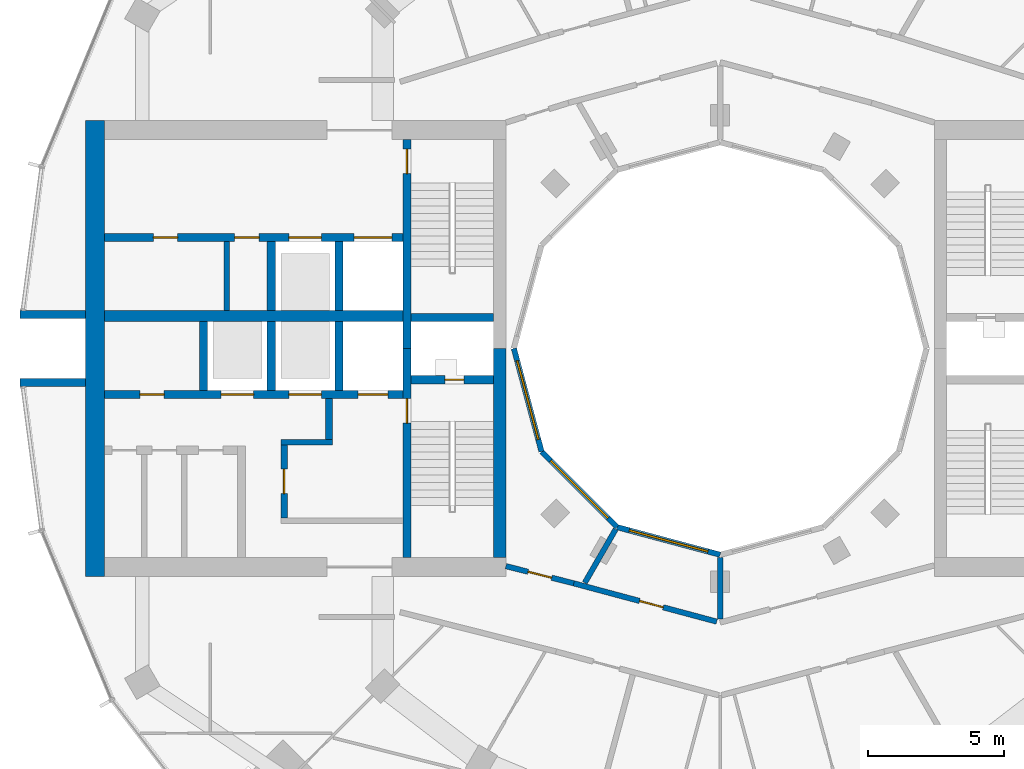
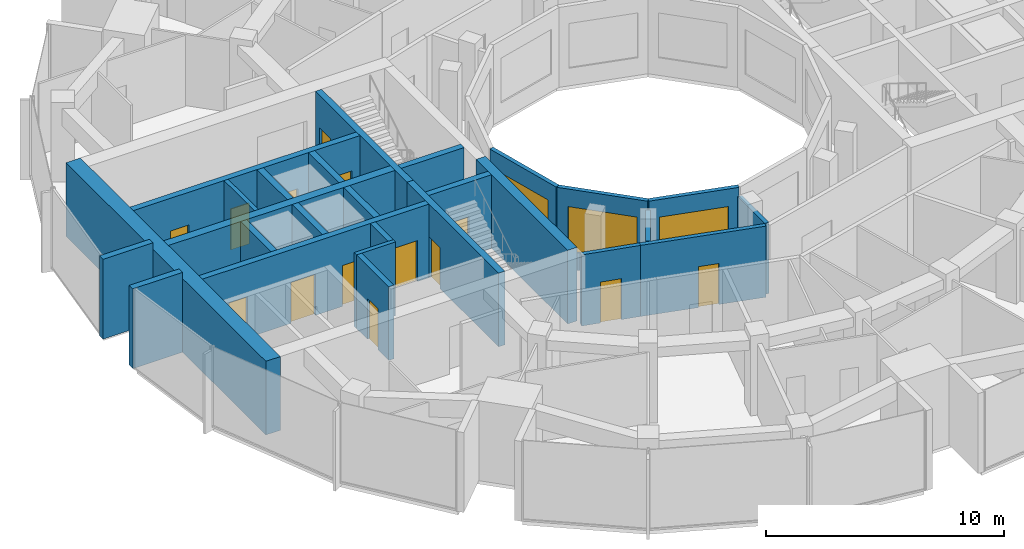
# One storey, part 9 of 15: 27 walls, 14 doors, 3 windows, 17 openings.
"""IFC4 building model written with IfcOpenShell, lengths in metres."""

from ifc_helpers import new_model, si_unit, direction, frame, frame_2d, origin, place, context, subcontext, project, spatial, rectangle, extrude, material, layer, layer_set, type_object, element, fill, save


model = new_model("IFC4")

# Units and contexts
model_context = context("Model", 3, precision=1e-05, world=origin(), true_north=direction((0.0, 1.0)))
body_context = subcontext(model_context, "Body", "Model", "MODEL_VIEW")
ifc_project = project(units=[si_unit("LENGTHUNIT", "METRE"), si_unit("AREAUNIT", "SQUARE_METRE"), si_unit("VOLUMEUNIT", "CUBIC_METRE"), si_unit("PLANEANGLEUNIT", "RADIAN"), si_unit("MASSUNIT", "GRAM", prefix="KILO")], contexts=[model_context])

# Site, building, storey
site_placement = place(None, origin())
site = spatial("IfcSite", under=ifc_project, at=site_placement, CompositionType="ELEMENT")
building_placement = place(site_placement, origin())
building = spatial("IfcBuilding", under=site, at=building_placement, Name="Torre Brocal", CompositionType="ELEMENT")
storey_placement = place(building_placement, frame((0.0, 0.0, 194.60009765625)))
storey = spatial("IfcBuildingStorey", under=building, at=storey_placement, Name="L45", CompositionType="ELEMENT", Elevation=194.60009765625)

# Walls
ifc_material_1 = material(Name="Masonry block", Category="masonry")
ifc_layer_1 = layer(ifc_material_1, 0.199951171875)
ifc_layer_set_1 = layer_set([ifc_layer_1], Name="Masonry block")
wall_type_1 = type_object("IfcWallType", Name="CORE PARTITION 200", PredefinedType="PARTITIONING", material=ifc_layer_set_1)
wall_1_placement = place(storey_placement, frame((61.800048828125, 78.949951171875, 0.0), z_axis=(0.0, 0.0, 1.0), x_axis=(0.0, -1.0, 0.0)))
element("IfcWall", 1, at=wall_1_placement, inside=storey, type_object=wall_type_1, Name="Wall CP200", PredefinedType="PARTITIONING", context=body_context, shape_type="SweptSolid", body=[
    extrude(rectangle(XDim=2.550048828125, YDim=0.199951171875, at=frame_2d((1.27490234375, 0.0))), origin(), (0.0, 0.0, 1.0), 3.77978515625),
])
ifc_material_2 = material(Name="Concrete C70", Category="concrete")
ifc_layer_2 = layer(ifc_material_2, 0.199951171875)
ifc_layer_set_2 = layer_set([ifc_layer_2], Name="Concrete C70")
wall_type_2 = type_object("IfcWallType", Name="CORE WALL 200 C70", PredefinedType="SHEAR", material=ifc_layer_set_2)
wall_2_placement = place(storey_placement, frame((65.699951171875, 71.550048828125, 0.0), z_axis=(0.0, 0.0, 1.0), x_axis=(-1.0, 0.0, 0.0)))
element("IfcWall", 2, at=wall_2_placement, inside=storey, type_object=wall_type_2, Name="Wall CW200-70", PredefinedType="SHEAR", context=body_context, shape_type="SweptSolid", body=[
    extrude(rectangle(XDim=1.89990234375, YDim=0.199951171875, at=frame_2d((0.949951171875, 0.0))), origin(), (0.0, 0.0, 1.0), 3.77978515625),
])

# Wall, opening, door
ifc_material_3 = material(Name="Concrete C70", Category="concrete")
ifc_layer_3 = layer(ifc_material_3, 0.25)
ifc_layer_set_3 = layer_set([ifc_layer_3], Name="Concrete C70")
wall_type_3 = type_object("IfcWallType", Name="CORE WALL 250 C70", PredefinedType="SHEAR", material=ifc_layer_set_3)
wall_3_placement = place(storey_placement, frame((63.925048828125, 71.449951171875, 0.0), z_axis=(0.0, 0.0, 1.0), x_axis=(0.0, -1.0, 0.0)))
wall_3 = element("IfcWall", 3, at=wall_3_placement, inside=storey, type_object=wall_type_3, Name="Wall CW250-70", PredefinedType="SHEAR", context=body_context, shape_type="SweptSolid", body=[
    extrude(rectangle(XDim=2.699951171875, YDim=0.25, at=frame_2d((1.35009765625, 0.0))), origin(), (0.0, 0.0, 1.0), 3.77978515625),
])
opening_1_placement = place(wall_3_placement, frame((0.89990234375, 0.0, 0.0)))
opening_1 = element("IfcOpeningElement", 4, at=opening_1_placement, cuts=wall_3, Name="Opening W-D26", PredefinedType="OPENING", context=body_context, shape_type="SweptSolid", body=[
    extrude(rectangle(XDim=0.89990234375, YDim=2.10009765625, at=frame_2d((0.449951171875, 1.050048828125))), frame((0.0, 0.135009765625, 0.0), z_axis=(0.0, -1.0, 0.0), x_axis=(1.0, 0.0, 0.0)), (0.0, 0.0, 1.0), 0.27001953125),
])
ifc_material_4 = material(Name="Steel A653", Category="steel")
door_type_1 = type_object("IfcDoorType", Name="LOBBY DOOR FD120 900X2100", OperationType="SINGLE_SWING_RIGHT", PredefinedType="DOOR", material=ifc_material_4)
door_1_placement = place(opening_1_placement, origin())
door_1 = element("IfcDoor", 5, at=door_1_placement, inside=storey, type_object=door_type_1, Name="Door W-D26", OperationType="SINGLE_SWING_LEFT", OverallHeight=2.10009765625, OverallWidth=0.89990234375, PredefinedType="DOOR", context=body_context, shape_type="SweptSolid", body=[
    extrude(rectangle(XDim=0.89990234375, YDim=2.10009765625, at=frame_2d((0.449951171875, 1.050048828125))), frame((0.0, 0.02490234375, 0.0), z_axis=(0.0, -1.0, 0.0), x_axis=(1.0, 0.0, 0.0)), (0.0, 0.0, 1.0), 0.050048828125),
])
fill(opening_1, door_1)

# Wall
wall_4_placement = place(storey_placement, frame((65.574951171875, 73.14990234375, 0.0), z_axis=(0.0, 0.0, 1.0), x_axis=(0.0, -1.0, 0.0)))
element("IfcWall", 6, at=wall_4_placement, inside=storey, type_object=wall_type_3, Name="Wall CW250-70", PredefinedType="SHEAR", context=body_context, shape_type="SweptSolid", body=[
    extrude(rectangle(XDim=1.5, YDim=0.25, at=frame_2d((0.75, 0.0))), origin(), (0.0, 0.0, 1.0), 3.77978515625),
])

# Wall, opening, door
ifc_material_5 = material(Name="Concrete C70", Category="concrete")
ifc_layer_4 = layer(ifc_material_5, 0.300048828125)
ifc_layer_set_4 = layer_set([ifc_layer_4], Name="Concrete C70")
wall_type_4 = type_object("IfcWallType", Name="CORE WALL 300 C70", PredefinedType="SHEAR", material=ifc_layer_set_4)
wall_5_placement = place(storey_placement, frame((68.449951171875, 75.0, 0.0), z_axis=(0.0, 0.0, 1.0), x_axis=(0.0, -1.0, 0.0)))
wall_5 = element("IfcWall", 7, at=wall_5_placement, inside=storey, type_object=wall_type_4, Name="Wall CW300-70", PredefinedType="SHEAR", context=body_context, shape_type="SweptSolid", body=[
    extrude(rectangle(XDim=7.699951171875, YDim=0.300048828125, at=frame_2d((3.85009765625, 0.0))), origin(), (0.0, 0.0, 1.0), 3.77978515625),
])
opening_2_placement = place(wall_5_placement, frame((1.85009765625, 0.0, 0.0)))
opening_2 = element("IfcOpeningElement", 8, at=opening_2_placement, cuts=wall_5, Name="Opening W-D02", PredefinedType="OPENING", context=body_context, shape_type="SweptSolid", body=[
    extrude(rectangle(XDim=0.89990234375, YDim=2.10009765625, at=frame_2d((0.449951171875, 1.050048828125))), frame((0.0, 0.159912109375, 0.0), z_axis=(0.0, -1.0, 0.0), x_axis=(1.0, 0.0, 0.0)), (0.0, 0.0, 1.0), 0.320068359375),
])
ifc_material_6 = material(Name="Steel A653", Category="steel")
door_type_2 = type_object("IfcDoorType", Name="STAIR DOOR FD120 900X2100", OperationType="SINGLE_SWING_RIGHT", PredefinedType="DOOR", material=ifc_material_6)
door_2_placement = place(opening_2_placement, origin())
door_2 = element("IfcDoor", 9, at=door_2_placement, inside=storey, type_object=door_type_2, Name="Door W-D02", OperationType="SINGLE_SWING_LEFT", OverallHeight=2.10009765625, OverallWidth=0.89990234375, PredefinedType="DOOR", context=body_context, shape_type="SweptSolid", body=[
    extrude(rectangle(XDim=0.89990234375, YDim=2.10009765625, at=frame_2d((0.449951171875, 1.050048828125))), frame((0.0, 0.02490234375, 0.0), z_axis=(0.0, -1.0, 0.0), x_axis=(1.0, 0.0, 0.0)), (0.0, 0.0, 1.0), 0.050048828125),
])
fill(opening_2, door_2)

wall_6_placement = place(storey_placement, frame((68.449951171875, 82.699951171875, 0.0), z_axis=(0.0, 0.0, 1.0), x_axis=(0.0, -1.0, 0.0)))
wall_6 = element("IfcWall", 10, at=wall_6_placement, inside=storey, type_object=wall_type_4, Name="Wall CW300-70", PredefinedType="SHEAR", context=body_context, shape_type="SweptSolid", body=[
    extrude(rectangle(XDim=7.699951171875, YDim=0.300048828125, at=frame_2d((3.85009765625, 0.0))), origin(), (0.0, 0.0, 1.0), 3.77978515625),
])
opening_3_placement = place(wall_6_placement, frame((0.35009765625, 0.0, 0.0)))
opening_3 = element("IfcOpeningElement", 11, at=opening_3_placement, cuts=wall_6, Name="Opening W-D03", PredefinedType="OPENING", context=body_context, shape_type="SweptSolid", body=[
    extrude(rectangle(XDim=0.89990234375, YDim=2.10009765625, at=frame_2d((0.449951171875, 1.050048828125))), frame((0.0, 0.159912109375, 0.0), z_axis=(0.0, -1.0, 0.0), x_axis=(1.0, 0.0, 0.0)), (0.0, 0.0, 1.0), 0.320068359375),
])
door_3_placement = place(opening_3_placement, origin())
door_3 = element("IfcDoor", 12, at=door_3_placement, inside=storey, type_object=door_type_2, Name="Door W-D03", OperationType="SINGLE_SWING_LEFT", OverallHeight=2.10009765625, OverallWidth=0.89990234375, PredefinedType="DOOR", context=body_context, shape_type="SweptSolid", body=[
    extrude(rectangle(XDim=0.89990234375, YDim=2.10009765625, at=frame_2d((0.449951171875, 1.050048828125))), frame((0.0, 0.02490234375, 0.0), z_axis=(0.0, -1.0, 0.0), x_axis=(1.0, 0.0, 0.0)), (0.0, 0.0, 1.0), 0.050048828125),
])
fill(opening_3, door_3)

wall_7_placement = place(storey_placement, frame((71.64990234375, 73.85009765625, 0.0), z_axis=(0.0, 0.0, 1.0), x_axis=(-1.0, 0.0, 0.0)))
wall_7 = element("IfcWall", 13, at=wall_7_placement, inside=storey, type_object=wall_type_4, Name="Wall CW300-70", PredefinedType="SHEAR", context=body_context, shape_type="SweptSolid", body=[
    extrude(rectangle(XDim=3.0498046875, YDim=0.300048828125, at=frame_2d((1.52490234375, 0.0))), origin(), (0.0, 0.0, 1.0), 3.77978515625),
])
opening_4_placement = place(wall_7_placement, frame((1.10009765625, 0.0, 0.0)))
opening_4 = element("IfcOpeningElement", 14, at=opening_4_placement, cuts=wall_7, Name="Opening W-D01", PredefinedType="OPENING", context=body_context, shape_type="SweptSolid", body=[
    extrude(rectangle(XDim=0.699951171875, YDim=2.0, at=frame_2d((0.35009765625, 1.0))), frame((0.0, 0.159912109375, 0.0), z_axis=(0.0, -1.0, 0.0), x_axis=(1.0, 0.0, 0.0)), (0.0, 0.0, 1.0), 0.320068359375),
])
ifc_material_7 = material(Name="Steel A653", Category="steel")
door_type_3 = type_object("IfcDoorType", Name="RISER DOOR FD120 700X2000", OperationType="SINGLE_SWING_LEFT", PredefinedType="DOOR", material=ifc_material_7)
door_4_placement = place(opening_4_placement, frame((0.699951171875, 0.0, 0.0), z_axis=(0.0, 0.0, 1.0), x_axis=(-1.0, 0.0, 0.0)))
door_4 = element("IfcDoor", 15, at=door_4_placement, inside=storey, type_object=door_type_3, Name="Door W-D01", OperationType="SINGLE_SWING_RIGHT", OverallHeight=2.0, OverallWidth=0.699951171875, PredefinedType="DOOR", context=body_context, shape_type="SweptSolid", body=[
    extrude(rectangle(XDim=0.699951171875, YDim=2.0, at=frame_2d((0.35009765625, 1.0))), frame((0.0, 0.02490234375, 0.0), z_axis=(0.0, -1.0, 0.0), x_axis=(1.0, 0.0, 0.0)), (0.0, 0.0, 1.0), 0.050048828125),
])
fill(opening_4, door_4)

# Wall
wall_8_placement = place(storey_placement, frame((71.64990234375, 76.14990234375, 0.0), z_axis=(0.0, 0.0, 1.0), x_axis=(-1.0, 0.0, 0.0)))
element("IfcWall", 16, at=wall_8_placement, inside=storey, type_object=wall_type_4, Name="Wall CW300-70", PredefinedType="SHEAR", context=body_context, shape_type="SweptSolid", body=[
    extrude(rectangle(XDim=3.0498046875, YDim=0.300048828125, at=frame_2d((1.52490234375, 0.0))), origin(), (0.0, 0.0, 1.0), 3.77978515625),
])

# Wall, openings, doors
wall_9_placement = place(storey_placement, frame((68.300048828125, 73.300048828125, 0.0), z_axis=(0.0, 0.0, 1.0), x_axis=(-1.0, 0.0, 0.0)))
wall_9 = element("IfcWall", 17, at=wall_9_placement, inside=storey, type_object=wall_type_4, Name="Wall CW300-70", PredefinedType="SHEAR", context=body_context, shape_type="SweptSolid", body=[
    extrude(rectangle(XDim=11.0, YDim=0.300048828125, at=frame_2d((5.5, 0.0))), origin(), (0.0, 0.0, 1.0), 3.77978515625),
])
opening_5_placement = place(wall_9_placement, frame((0.550048828125, 0.0, 0.0)))
opening_5 = element("IfcOpeningElement", 18, at=opening_5_placement, cuts=wall_9, Name="Opening LD", PredefinedType="OPENING", context=body_context, shape_type="SweptSolid", body=[
    extrude(rectangle(XDim=1.10009765625, YDim=2.10009765625, at=frame_2d((0.550048828125, 1.050048828125))), frame((0.0, 0.159912109375, 0.0), z_axis=(0.0, -1.0, 0.0), x_axis=(1.0, 0.0, 0.0)), (0.0, 0.0, 1.0), 0.320068359375),
])
opening_6_placement = place(wall_9_placement, frame((3.0, 0.0, 0.0)))
opening_6 = element("IfcOpeningElement", 19, at=opening_6_placement, cuts=wall_9, Name="Opening LD12", PredefinedType="OPENING", context=body_context, shape_type="SweptSolid", body=[
    extrude(rectangle(XDim=1.199951171875, YDim=2.10009765625, at=frame_2d((0.60009765625, 1.050048828125))), frame((0.0, 0.159912109375, 0.0), z_axis=(0.0, -1.0, 0.0), x_axis=(1.0, 0.0, 0.0)), (0.0, 0.0, 1.0), 0.320068359375),
])
opening_7_placement = place(wall_9_placement, frame((5.5, 0.0, 0.0)))
opening_7 = element("IfcOpeningElement", 20, at=opening_7_placement, cuts=wall_9, Name="Opening LD12", PredefinedType="OPENING", context=body_context, shape_type="SweptSolid", body=[
    extrude(rectangle(XDim=1.199951171875, YDim=2.10009765625, at=frame_2d((0.60009765625, 1.050048828125))), frame((0.0, 0.159912109375, 0.0), z_axis=(0.0, -1.0, 0.0), x_axis=(1.0, 0.0, 0.0)), (0.0, 0.0, 1.0), 0.320068359375),
])
opening_8_placement = place(wall_9_placement, frame((8.800048828125, 0.0, 0.0)))
opening_8 = element("IfcOpeningElement", 21, at=opening_8_placement, cuts=wall_9, Name="Opening W-D04", PredefinedType="OPENING", context=body_context, shape_type="SweptSolid", body=[
    extrude(rectangle(XDim=0.89990234375, YDim=2.10009765625, at=frame_2d((0.449951171875, 1.050048828125))), frame((0.0, 0.159912109375, 0.0), z_axis=(0.0, -1.0, 0.0), x_axis=(1.0, 0.0, 0.0)), (0.0, 0.0, 1.0), 0.320068359375),
])
ifc_material_8 = material(Name="Stainless steel AISI 316", Category="steel")
door_type_4 = type_object("IfcDoorType", Name="LIFT LANDING DOOR 1100X2100", OperationType="DOUBLE_DOOR_SLIDING", PredefinedType="DOOR", material=ifc_material_8)
door_5_placement = place(opening_5_placement, origin())
door_5 = element("IfcDoor", 22, at=door_5_placement, inside=storey, type_object=door_type_4, Name="Door LD", OperationType="DOUBLE_DOOR_SLIDING", OverallHeight=2.10009765625, OverallWidth=1.10009765625, PredefinedType="DOOR", context=body_context, shape_type="SweptSolid", body=[
    extrude(rectangle(XDim=1.10009765625, YDim=2.10009765625, at=frame_2d((0.550048828125, 1.050048828125))), frame((0.0, 0.02490234375, 0.0), z_axis=(0.0, -1.0, 0.0), x_axis=(1.0, 0.0, 0.0)), (0.0, 0.0, 1.0), 0.050048828125),
])
fill(opening_5, door_5)
ifc_material_9 = material(Name="Stainless steel AISI 316", Category="steel")
door_type_5 = type_object("IfcDoorType", Name="LIFT LANDING DOOR 1200X2100", OperationType="DOUBLE_DOOR_SLIDING", PredefinedType="DOOR", material=ifc_material_9)
door_6_placement = place(opening_6_placement, origin())
door_6 = element("IfcDoor", 23, at=door_6_placement, inside=storey, type_object=door_type_5, Name="Door LD12", OperationType="DOUBLE_DOOR_SLIDING", OverallHeight=2.10009765625, OverallWidth=1.199951171875, PredefinedType="DOOR", context=body_context, shape_type="SweptSolid", body=[
    extrude(rectangle(XDim=1.199951171875, YDim=2.10009765625, at=frame_2d((0.60009765625, 1.050048828125))), frame((0.0, 0.02490234375, 0.0), z_axis=(0.0, -1.0, 0.0), x_axis=(1.0, 0.0, 0.0)), (0.0, 0.0, 1.0), 0.050048828125),
])
fill(opening_6, door_6)
door_7_placement = place(opening_7_placement, origin())
door_7 = element("IfcDoor", 24, at=door_7_placement, inside=storey, type_object=door_type_5, Name="Door LD12", OperationType="DOUBLE_DOOR_SLIDING", OverallHeight=2.10009765625, OverallWidth=1.199951171875, PredefinedType="DOOR", context=body_context, shape_type="SweptSolid", body=[
    extrude(rectangle(XDim=1.199951171875, YDim=2.10009765625, at=frame_2d((0.60009765625, 1.050048828125))), frame((0.0, 0.02490234375, 0.0), z_axis=(0.0, -1.0, 0.0), x_axis=(1.0, 0.0, 0.0)), (0.0, 0.0, 1.0), 0.050048828125),
])
fill(opening_7, door_7)
ifc_material_10 = material(Name="Steel A653", Category="steel")
door_type_6 = type_object("IfcDoorType", Name="ROOM DOOR FD30S 900X2100", OperationType="SINGLE_SWING_LEFT", PredefinedType="DOOR", material=ifc_material_10)
door_8_placement = place(opening_8_placement, frame((0.89990234375, 0.0, 0.0), z_axis=(0.0, 0.0, 1.0), x_axis=(-1.0, 0.0, 0.0)))
door_8 = element("IfcDoor", 25, at=door_8_placement, inside=storey, type_object=door_type_6, Name="Door W-D04", OperationType="SINGLE_SWING_LEFT", OverallHeight=2.10009765625, OverallWidth=0.89990234375, PredefinedType="DOOR", context=body_context, shape_type="SweptSolid", body=[
    extrude(rectangle(XDim=0.89990234375, YDim=2.10009765625, at=frame_2d((0.449951171875, 1.050048828125))), frame((0.0, 0.02490234375, 0.0), z_axis=(0.0, -1.0, 0.0), x_axis=(1.0, 0.0, 0.0)), (0.0, 0.0, 1.0), 0.050048828125),
])
fill(opening_8, door_8)

wall_10_placement = place(storey_placement, frame((68.300048828125, 79.10009765625, 0.0), z_axis=(0.0, 0.0, 1.0), x_axis=(-1.0, 0.0, 0.0)))
wall_10 = element("IfcWall", 26, at=wall_10_placement, inside=storey, type_object=wall_type_4, Name="Wall CW300-70", PredefinedType="SHEAR", context=body_context, shape_type="SweptSolid", body=[
    extrude(rectangle(XDim=11.0, YDim=0.300048828125, at=frame_2d((5.5, 0.0))), origin(), (0.0, 0.0, 1.0), 3.77978515625),
])
opening_9_placement = place(wall_10_placement, frame((0.39990234375, 0.0, 0.0)))
opening_9 = element("IfcOpeningElement", 27, at=opening_9_placement, cuts=wall_10, Name="Opening LD14", PredefinedType="OPENING", context=body_context, shape_type="SweptSolid", body=[
    extrude(rectangle(XDim=1.39990234375, YDim=2.10009765625, at=frame_2d((0.699951171875, 1.050048828125))), frame((0.0, 0.159912109375, 0.0), z_axis=(0.0, -1.0, 0.0), x_axis=(1.0, 0.0, 0.0)), (0.0, 0.0, 1.0), 0.320068359375),
])
opening_10_placement = place(wall_10_placement, frame((3.0, 0.0, 0.0)))
opening_10 = element("IfcOpeningElement", 28, at=opening_10_placement, cuts=wall_10, Name="Opening LD12", PredefinedType="OPENING", context=body_context, shape_type="SweptSolid", body=[
    extrude(rectangle(XDim=1.199951171875, YDim=2.10009765625, at=frame_2d((0.60009765625, 1.050048828125))), frame((0.0, 0.159912109375, 0.0), z_axis=(0.0, -1.0, 0.0), x_axis=(1.0, 0.0, 0.0)), (0.0, 0.0, 1.0), 0.320068359375),
])
opening_11_placement = place(wall_10_placement, frame((5.300048828125, 0.0, 0.0)))
opening_11 = element("IfcOpeningElement", 29, at=opening_11_placement, cuts=wall_10, Name="Opening W-D05", PredefinedType="OPENING", context=body_context, shape_type="SweptSolid", body=[
    extrude(rectangle(XDim=0.89990234375, YDim=2.10009765625, at=frame_2d((0.449951171875, 1.050048828125))), frame((0.0, 0.159912109375, 0.0), z_axis=(0.0, -1.0, 0.0), x_axis=(1.0, 0.0, 0.0)), (0.0, 0.0, 1.0), 0.320068359375),
])
opening_12_placement = place(wall_10_placement, frame((8.300048828125, 0.0, 0.0)))
opening_12 = element("IfcOpeningElement", 30, at=opening_12_placement, cuts=wall_10, Name="Opening W-D06", PredefinedType="OPENING", context=body_context, shape_type="SweptSolid", body=[
    extrude(rectangle(XDim=0.89990234375, YDim=2.10009765625, at=frame_2d((0.449951171875, 1.050048828125))), frame((0.0, 0.159912109375, 0.0), z_axis=(0.0, -1.0, 0.0), x_axis=(1.0, 0.0, 0.0)), (0.0, 0.0, 1.0), 0.320068359375),
])
door_9_placement = place(opening_10_placement, origin())
door_9 = element("IfcDoor", 31, at=door_9_placement, inside=storey, type_object=door_type_5, Name="Door LD12", OperationType="DOUBLE_DOOR_SLIDING", OverallHeight=2.10009765625, OverallWidth=1.199951171875, PredefinedType="DOOR", context=body_context, shape_type="SweptSolid", body=[
    extrude(rectangle(XDim=1.199951171875, YDim=2.10009765625, at=frame_2d((0.60009765625, 1.050048828125))), frame((0.0, 0.02490234375, 0.0), z_axis=(0.0, -1.0, 0.0), x_axis=(1.0, 0.0, 0.0)), (0.0, 0.0, 1.0), 0.050048828125),
])
fill(opening_10, door_9)
ifc_material_11 = material(Name="Stainless steel AISI 316", Category="steel")
door_type_7 = type_object("IfcDoorType", Name="LIFT LANDING DOOR 1400X2100", OperationType="DOUBLE_DOOR_SLIDING", PredefinedType="DOOR", material=ifc_material_11)
door_10_placement = place(opening_9_placement, origin())
door_10 = element("IfcDoor", 32, at=door_10_placement, inside=storey, type_object=door_type_7, Name="Door LD14", OperationType="DOUBLE_DOOR_SLIDING", OverallHeight=2.10009765625, OverallWidth=1.39990234375, PredefinedType="DOOR", context=body_context, shape_type="SweptSolid", body=[
    extrude(rectangle(XDim=1.39990234375, YDim=2.10009765625, at=frame_2d((0.699951171875, 1.050048828125))), frame((0.0, 0.02490234375, 0.0), z_axis=(0.0, -1.0, 0.0), x_axis=(1.0, 0.0, 0.0)), (0.0, 0.0, 1.0), 0.050048828125),
])
fill(opening_9, door_10)
door_11_placement = place(opening_11_placement, origin())
door_11 = element("IfcDoor", 33, at=door_11_placement, inside=storey, type_object=door_type_6, Name="Door W-D05", OperationType="SINGLE_SWING_RIGHT", OverallHeight=2.10009765625, OverallWidth=0.89990234375, PredefinedType="DOOR", context=body_context, shape_type="SweptSolid", body=[
    extrude(rectangle(XDim=0.89990234375, YDim=2.10009765625, at=frame_2d((0.449951171875, 1.050048828125))), frame((0.0, 0.02490234375, 0.0), z_axis=(0.0, -1.0, 0.0), x_axis=(1.0, 0.0, 0.0)), (0.0, 0.0, 1.0), 0.050048828125),
])
fill(opening_11, door_11)
door_12_placement = place(opening_12_placement, origin())
door_12 = element("IfcDoor", 34, at=door_12_placement, inside=storey, type_object=door_type_6, Name="Door W-D06", OperationType="SINGLE_SWING_RIGHT", OverallHeight=2.10009765625, OverallWidth=0.89990234375, PredefinedType="DOOR", context=body_context, shape_type="SweptSolid", body=[
    extrude(rectangle(XDim=0.89990234375, YDim=2.10009765625, at=frame_2d((0.449951171875, 1.050048828125))), frame((0.0, 0.02490234375, 0.0), z_axis=(0.0, -1.0, 0.0), x_axis=(1.0, 0.0, 0.0)), (0.0, 0.0, 1.0), 0.050048828125),
])
fill(opening_12, door_12)

# Walls
for number, where, z_axis, x_axis, name in (
    (35, (65.949951171875, 76.0, 0.0), (0.0, 0.0, 1.0), (0.0, -1.0, 0.0), "Wall CW300-70"),
    (36, (63.449951171875, 76.0, 0.0), (0.0, 0.0, 1.0), (0.0, -1.0, 0.0), "Wall CW300-70"),
    (37, (60.949951171875, 76.0, 0.0), (0.0, 0.0, 1.0), (0.0, -1.0, 0.0), "Wall CW300-70"),
    (38, (65.949951171875, 78.949951171875, 0.0), (0.0, 0.0, 1.0), (0.0, -1.0, 0.0), "Wall CW300-70"),
    (39, (63.449951171875, 78.949951171875, 0.0), (0.0, 0.0, 1.0), (0.0, -1.0, 0.0), "Wall CW300-70"),
):
    element("IfcWall", number, at=place(storey_placement, frame(where, z_axis=z_axis, x_axis=x_axis)), inside=storey, type_object=wall_type_4, Name=name, PredefinedType="SHEAR", context=body_context, shape_type="SweptSolid", body=[
        extrude(rectangle(XDim=2.550048828125, YDim=0.300048828125, at=frame_2d((1.27490234375, 0.0))), origin(), (0.0, 0.0, 1.0), 3.77978515625),
    ])
ifc_material_12 = material(Name="Concrete C70", Category="concrete")
ifc_layer_5 = layer(ifc_material_12, 0.39990234375)
ifc_layer_set_5 = layer_set([ifc_layer_5], Name="Concrete C70")
wall_type_5 = type_object("IfcWallType", Name="CORE WALL 400 C70", PredefinedType="SHEAR", material=ifc_layer_set_5)
wall_11_placement = place(storey_placement, frame((68.300048828125, 76.199951171875, 0.0), z_axis=(0.0, 0.0, 1.0), x_axis=(-1.0, 0.0, 0.0)))
element("IfcWall", 40, at=wall_11_placement, inside=storey, type_object=wall_type_5, Name="Wall CW400-70", PredefinedType="SHEAR", context=body_context, shape_type="SweptSolid", body=[
    extrude(rectangle(XDim=11.0, YDim=0.39990234375, at=frame_2d((5.5, 0.0))), origin(), (0.0, 0.0, 1.0), 3.77978515625),
])
ifc_material_13 = material(Name="Concrete C70", Category="concrete")
ifc_layer_6 = layer(ifc_material_13, 0.449951171875)
ifc_layer_set_6 = layer_set([ifc_layer_6], Name="Concrete C70")
wall_type_6 = type_object("IfcWallType", Name="CORE WALL 450 C70", PredefinedType="SHEAR", material=ifc_layer_set_6)
wall_12_placement = place(storey_placement, frame((71.875, 75.0, 0.0), z_axis=(0.0, 0.0, 1.0), x_axis=(0.0, -1.0, 0.0)))
element("IfcWall", 41, at=wall_12_placement, inside=storey, type_object=wall_type_6, Name="Wall CW450-70", PredefinedType="SHEAR", context=body_context, shape_type="SweptSolid", body=[
    extrude(rectangle(XDim=7.699951171875, YDim=0.449951171875, at=frame_2d((3.85009765625, 0.0))), origin(), (0.0, 0.0, 1.0), 3.77978515625),
])
ifc_material_14 = material(Name="Concrete C70", Category="concrete")
ifc_layer_7 = layer(ifc_material_14, 0.699951171875)
ifc_layer_set_7 = layer_set([ifc_layer_7], Name="Concrete C70")
wall_type_7 = type_object("IfcWallType", Name="CORE WALL 700 C70", PredefinedType="SHEAR", material=ifc_layer_set_7)
wall_13_placement = place(storey_placement, frame((56.949951171875, 83.39990234375, 0.0), z_axis=(0.0, 0.0, 1.0), x_axis=(0.0, -1.0, 0.0)))
element("IfcWall", 42, at=wall_13_placement, inside=storey, type_object=wall_type_7, Name="Wall CW700-70", PredefinedType="SHEAR", context=body_context, shape_type="SweptSolid", body=[
    extrude(rectangle(XDim=16.7998046875, YDim=0.699951171875, at=frame_2d((8.39990234375, 0.0))), origin(), (0.0, 0.0, 1.0), 3.77978515625),
])
ifc_material_15 = material(Name="Concrete C70", Category="concrete")
ifc_layer_8 = layer(ifc_material_15, 0.300048828125)
ifc_layer_set_8 = layer_set([ifc_layer_8], Name="Concrete C70")
wall_type_8 = type_object("IfcWallType", Name="NOTCH RETURN WALL 300 C70", PredefinedType="NOTDEFINED", material=ifc_layer_set_8)
for number, where, z_axis, x_axis, name in (
    (43, (56.60009765625, 76.25, 0.0), (0.0, 0.0, 1.0), (-1.0, 0.0, 0.0), "NOTCH RETURN WALL"),
    (44, (56.60009765625, 73.75, 0.0), (0.0, 0.0, 1.0), (-1.0, 0.0, 0.0), "NOTCH RETURN WALL"),
):
    element("IfcWall", number, at=place(storey_placement, frame(where, z_axis=z_axis, x_axis=x_axis)), inside=storey, type_object=wall_type_8, Name=name, PredefinedType="NOTDEFINED", context=body_context, shape_type="SweptSolid", body=[
        extrude(rectangle(XDim=2.415771484375, YDim=0.300048828125, at=frame_2d((1.2080078125, 0.0))), origin(), (0.0, 0.0, 1.0), 4.099853515625),
    ])

# Wall, opening, door
ifc_material_16 = material(Name="Gypsum board", Category="Gypsum")
ifc_layer_9 = layer(ifc_material_16, 0.199951171875)
ifc_layer_set_9 = layer_set([ifc_layer_9], Name="Gypsum board")
wall_type_9 = type_object("IfcWallType", Name="PARTITION 200 EI60", PredefinedType="PARTITIONING", material=ifc_layer_set_9)
wall_14_placement = place(storey_placement, frame((72.10009765625, 66.97509765625, 0.0), z_axis=(0.0, 0.0, 1.0), x_axis=(0.969471314457, -0.245204752086, 0.0)))
wall_14 = element("IfcWall", 45, at=wall_14_placement, inside=storey, type_object=wall_type_9, Name="CORRIDOR WALL", PredefinedType="PARTITIONING", context=body_context, shape_type="SweptSolid", body=[
    extrude(rectangle(XDim=2.581787109375, YDim=0.199951171875, at=frame_2d((1.291015625, 0.0))), origin(), (0.0, 0.0, 1.0), 3.64990234375),
])
opening_13_placement = place(wall_14_placement, frame((0.8408203125, 0.0, 0.0)))
opening_13 = element("IfcOpeningElement", 46, at=opening_13_placement, cuts=wall_14, Name="Opening R04-D39", PredefinedType="OPENING", context=body_context, shape_type="SweptSolid", body=[
    extrude(rectangle(XDim=0.89990234375, YDim=2.10009765625, at=frame_2d((0.449951171875, 1.050048828125))), frame((0.0, 0.10986328125, 0.0), z_axis=(0.0, -1.0, 0.0), x_axis=(1.0, 0.0, 0.0)), (0.0, 0.0, 1.0), 0.219970703125),
])
ifc_material_17 = material(Name="Timber", Category="wood")
door_type_8 = type_object("IfcDoorType", Name="ROOM DOOR 900X2100", OperationType="SINGLE_SWING_LEFT", PredefinedType="DOOR", material=ifc_material_17)
door_13_placement = place(opening_13_placement, origin())
door_13 = element("IfcDoor", 47, at=door_13_placement, inside=storey, type_object=door_type_8, Name="R04-D39", OperationType="SINGLE_SWING_LEFT", OverallHeight=2.10009765625, OverallWidth=0.89990234375, PredefinedType="DOOR", context=body_context, shape_type="SweptSolid", body=[
    extrude(rectangle(XDim=0.89990234375, YDim=2.10009765625, at=frame_2d((0.449951171875, 1.050048828125))), frame((0.0, 0.02490234375, 0.0), z_axis=(0.0, -1.0, 0.0), x_axis=(1.0, 0.0, 0.0)), (0.0, 0.0, 1.0), 0.050048828125),
])
fill(opening_13, door_13)

wall_15_placement = place(storey_placement, frame((74.60302734375, 66.342041015625, 0.0), z_axis=(0.0, 0.0, 1.0), x_axis=(0.965920893652, -0.258837453254, 0.0)))
wall_15 = element("IfcWall", 48, at=wall_15_placement, inside=storey, type_object=wall_type_9, Name="CORRIDOR WALL", PredefinedType="PARTITIONING", context=body_context, shape_type="SweptSolid", body=[
    extrude(rectangle(XDim=5.45751953125, YDim=0.199951171875, at=frame_2d((2.728759765625, 0.0))), origin(), (0.0, 0.0, 1.0), 3.64990234375),
])
opening_14_placement = place(wall_15_placement, frame((2.512451171875, 0.0, 0.0)))
opening_14 = element("IfcOpeningElement", 49, at=opening_14_placement, cuts=wall_15, Name="Opening R04-D38", PredefinedType="OPENING", context=body_context, shape_type="SweptSolid", body=[
    extrude(rectangle(XDim=0.89990234375, YDim=2.10009765625, at=frame_2d((0.449951171875, 1.050048828125))), frame((0.0, 0.10986328125, 0.0), z_axis=(0.0, -1.0, 0.0), x_axis=(1.0, 0.0, 0.0)), (0.0, 0.0, 1.0), 0.219970703125),
])
door_14_placement = place(opening_14_placement, origin())
door_14 = element("IfcDoor", 50, at=door_14_placement, inside=storey, type_object=door_type_8, Name="R04-D38", OperationType="SINGLE_SWING_LEFT", OverallHeight=2.10009765625, OverallWidth=0.89990234375, PredefinedType="DOOR", context=body_context, shape_type="SweptSolid", body=[
    extrude(rectangle(XDim=0.89990234375, YDim=2.10009765625, at=frame_2d((0.449951171875, 1.050048828125))), frame((0.0, 0.02490234375, 0.0), z_axis=(0.0, -1.0, 0.0), x_axis=(1.0, 0.0, 0.0)), (0.0, 0.0, 1.0), 0.050048828125),
])
fill(opening_14, door_14)

# Walls
wall_16_placement = place(storey_placement, frame((75.01025390625, 66.3642578125, 0.0), z_axis=(0.0, 0.0, 1.0), x_axis=(0.500097042406, 0.865969369075, 0.0)))
element("IfcWall", 51, at=wall_16_placement, inside=storey, type_object=wall_type_9, Name="PARTY PARTITION", PredefinedType="PARTITIONING", context=body_context, shape_type="SweptSolid", body=[
    extrude(rectangle(XDim=2.275390625, YDim=0.199951171875, at=frame_2d((1.1376953125, 0.0))), origin(), (0.0, 0.0, 1.0), 3.64990234375),
])
wall_17_placement = place(storey_placement, frame((80.0, 65.027099609375, 0.0), z_axis=(0.0, 0.0, 1.0), x_axis=(0.0, 1.0, 0.0)))
element("IfcWall", 52, at=wall_17_placement, inside=storey, type_object=wall_type_9, Name="PARTY PARTITION", PredefinedType="PARTITIONING", context=body_context, shape_type="SweptSolid", body=[
    extrude(rectangle(XDim=2.27294921875, YDim=0.199951171875, at=frame_2d((1.136474609375, 0.0))), origin(), (0.0, 0.0, 1.0), 3.64990234375),
])

# Wall, opening, window
ifc_material_18 = material(Name="Concrete C40", Category="concrete")
ifc_layer_10 = layer(ifc_material_18, 0.199951171875)
ifc_layer_set_10 = layer_set([ifc_layer_10], Name="Concrete C40")
wall_type_10 = type_object("IfcWallType", Name="WELL FACADE WALL 200", PredefinedType="NOTDEFINED", material=ifc_layer_set_10)
wall_18_placement = place(storey_placement, frame((72.396484375, 75.0, 0.0), z_axis=(0.0, 0.0, 1.0), x_axis=(0.258789828301, -0.965933654434, 0.0)))
wall_18 = element("IfcWall", 53, at=wall_18_placement, inside=storey, type_object=wall_type_10, Name="WELL FACADE WALL", PredefinedType="NOTDEFINED", context=body_context, shape_type="SweptSolid", body=[
    extrude(rectangle(XDim=3.935791015625, YDim=0.199951171875, at=frame_2d((1.9677734375, 0.0))), origin(), (0.0, 0.0, 1.0), 4.099853515625),
])
opening_15_placement = place(wall_18_placement, frame((0.468017578125, 0.0, 0.89990234375)))
opening_15 = element("IfcOpeningElement", 54, at=opening_15_placement, cuts=wall_18, Name="Opening W1", PredefinedType="OPENING", context=body_context, shape_type="SweptSolid", body=[
    extrude(rectangle(XDim=3.0, YDim=2.300048828125, at=frame_2d((1.5, 1.14990234375))), frame((0.0, 0.10986328125, 0.0), z_axis=(0.0, -1.0, 0.0), x_axis=(1.0, 0.0, 0.0)), (0.0, 0.0, 1.0), 0.219970703125),
])
ifc_material_19 = material(Name="Aluminium and glass", Category="aluminium")
window_type = type_object("IfcWindowType", Name="WELL WINDOW 3000X2300", PartitioningType="SINGLE_PANEL", PredefinedType="WINDOW", material=ifc_material_19)
window_1_placement = place(opening_15_placement, origin())
window_1 = element("IfcWindow", 55, at=window_1_placement, inside=storey, type_object=window_type, Name="WELL WINDOW 3000X2300", OverallHeight=2.300048828125, OverallWidth=3.0, PartitioningType="SINGLE_PANEL", PredefinedType="WINDOW", context=body_context, shape_type="SweptSolid", body=[
    extrude(rectangle(XDim=3.0, YDim=2.300048828125, at=frame_2d((1.5, 1.14990234375))), frame((0.0, 0.030029296875, 0.0), z_axis=(0.0, -1.0, 0.0), x_axis=(1.0, 0.0, 0.0)), (0.0, 0.0, 1.0), 0.06005859375),
])
fill(opening_15, window_1)

wall_19_placement = place(storey_placement, frame((73.4150390625, 71.1982421875, 0.0), z_axis=(0.0, 0.0, 1.0), x_axis=(0.707106781187, -0.707106781187, 0.0)))
wall_19 = element("IfcWall", 56, at=wall_19_placement, inside=storey, type_object=wall_type_10, Name="WELL FACADE WALL", PredefinedType="NOTDEFINED", context=body_context, shape_type="SweptSolid", body=[
    extrude(rectangle(XDim=3.93603515625, YDim=0.199951171875, at=frame_2d((1.968017578125, 0.0))), origin(), (0.0, 0.0, 1.0), 4.099853515625),
])
opening_16_placement = place(wall_19_placement, frame((0.468017578125, 0.0, 0.89990234375)))
opening_16 = element("IfcOpeningElement", 57, at=opening_16_placement, cuts=wall_19, Name="Opening W1", PredefinedType="OPENING", context=body_context, shape_type="SweptSolid", body=[
    extrude(rectangle(XDim=3.0, YDim=2.300048828125, at=frame_2d((1.5, 1.14990234375))), frame((0.0, 0.10986328125, 0.0), z_axis=(0.0, -1.0, 0.0), x_axis=(1.0, 0.0, 0.0)), (0.0, 0.0, 1.0), 0.219970703125),
])
window_2_placement = place(opening_16_placement, origin())
window_2 = element("IfcWindow", 58, at=window_2_placement, inside=storey, type_object=window_type, Name="WELL WINDOW 3000X2300", OverallHeight=2.300048828125, OverallWidth=3.0, PartitioningType="SINGLE_PANEL", PredefinedType="WINDOW", context=body_context, shape_type="SweptSolid", body=[
    extrude(rectangle(XDim=3.0, YDim=2.300048828125, at=frame_2d((1.5, 1.14990234375))), frame((0.0, 0.030029296875, 0.0), z_axis=(0.0, -1.0, 0.0), x_axis=(1.0, 0.0, 0.0)), (0.0, 0.0, 1.0), 0.06005859375),
])
fill(opening_16, window_2)

wall_20_placement = place(storey_placement, frame((76.1982421875, 68.4150390625, 0.0), z_axis=(0.0, 0.0, 1.0), x_axis=(0.965933654434, -0.258789828301, 0.0)))
wall_20 = element("IfcWall", 59, at=wall_20_placement, inside=storey, type_object=wall_type_10, Name="WELL FACADE WALL", PredefinedType="NOTDEFINED", context=body_context, shape_type="SweptSolid", body=[
    extrude(rectangle(XDim=3.935791015625, YDim=0.199951171875, at=frame_2d((1.9677734375, 0.0))), origin(), (0.0, 0.0, 1.0), 4.099853515625),
])
opening_17_placement = place(wall_20_placement, frame((0.468017578125, 0.0, 0.89990234375)))
opening_17 = element("IfcOpeningElement", 60, at=opening_17_placement, cuts=wall_20, Name="Opening W1", PredefinedType="OPENING", context=body_context, shape_type="SweptSolid", body=[
    extrude(rectangle(XDim=3.0, YDim=2.300048828125, at=frame_2d((1.5, 1.14990234375))), frame((0.0, 0.10986328125, 0.0), z_axis=(0.0, -1.0, 0.0), x_axis=(1.0, 0.0, 0.0)), (0.0, 0.0, 1.0), 0.219970703125),
])
window_3_placement = place(opening_17_placement, origin())
window_3 = element("IfcWindow", 61, at=window_3_placement, inside=storey, type_object=window_type, Name="WELL WINDOW 3000X2300", OverallHeight=2.300048828125, OverallWidth=3.0, PartitioningType="SINGLE_PANEL", PredefinedType="WINDOW", context=body_context, shape_type="SweptSolid", body=[
    extrude(rectangle(XDim=3.0, YDim=2.300048828125, at=frame_2d((1.5, 1.14990234375))), frame((0.0, 0.030029296875, 0.0), z_axis=(0.0, -1.0, 0.0), x_axis=(1.0, 0.0, 0.0)), (0.0, 0.0, 1.0), 0.06005859375),
])
fill(opening_17, window_3)

save(model, "model.ifc")
